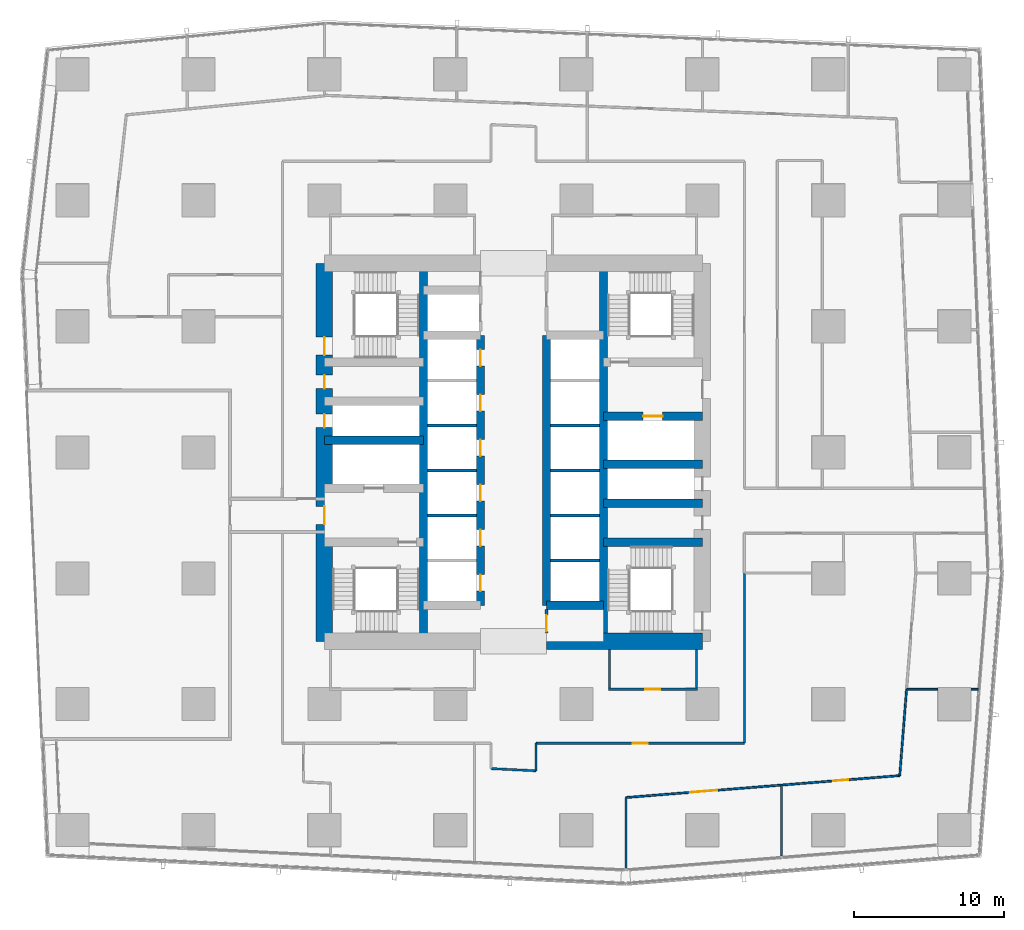
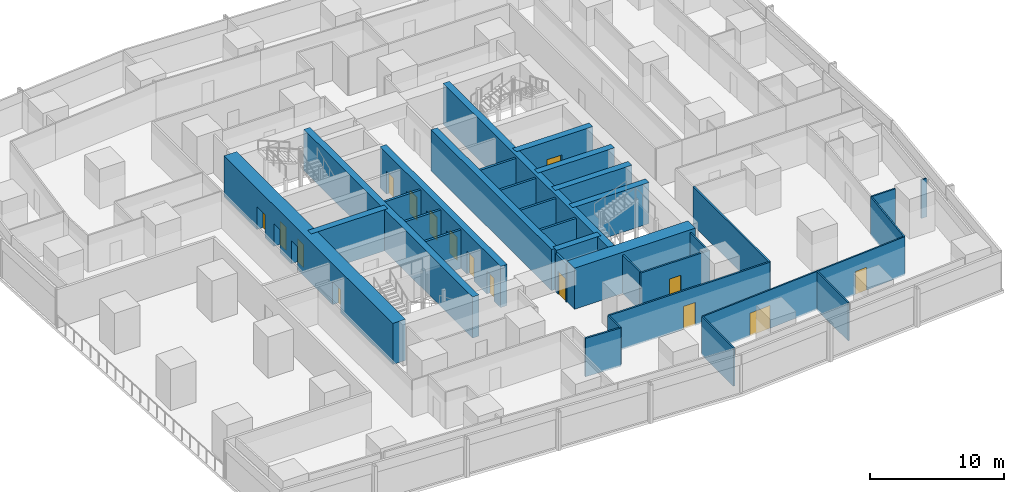
# One storey, part 30 of 42: 34 walls, 16 doors, 16 openings.
"""IFC4 building model written with IfcOpenShell, lengths in metres."""

from ifc_helpers import new_model, si_unit, direction, frame, frame_2d, origin, place, context, subcontext, project, spatial, rectangle, extrude, material, layer, layer_set, type_object, element, fill, save


model = new_model("IFC4")

# Units and contexts
model_context = context("Model", 3, precision=1e-05, world=origin(), true_north=direction((0.0, 1.0)))
body_context = subcontext(model_context, "Body", "Model", "MODEL_VIEW")
ifc_project = project(units=[si_unit("LENGTHUNIT", "METRE"), si_unit("AREAUNIT", "SQUARE_METRE"), si_unit("VOLUMEUNIT", "CUBIC_METRE"), si_unit("PLANEANGLEUNIT", "RADIAN"), si_unit("MASSUNIT", "GRAM", prefix="KILO")], contexts=[model_context])

# Site, building, storey
site_placement = place(None, origin())
site = spatial("IfcSite", under=ifc_project, at=site_placement, CompositionType="ELEMENT")
building_placement = place(site_placement, origin())
building = spatial("IfcBuilding", under=site, at=building_placement, Name="Rekha Terrace Tower", CompositionType="ELEMENT")
storey_placement = place(building_placement, frame((0.0, 0.0, 55.39990234375)))
storey = spatial("IfcBuildingStorey", under=building, at=storey_placement, Name="L13", CompositionType="ELEMENT", Elevation=55.39990234375)

# Walls
ifc_material_1 = material(Name="Concrete M70", Category="concrete")
ifc_layer_1 = layer(ifc_material_1, 0.550048828125)
ifc_layer_set_1 = layer_set([ifc_layer_1], Name="Concrete M70")
wall_type_1 = type_object("IfcWallType", Name="CI1 550 core internal shear wall", PredefinedType="SHEAR", material=ifc_layer_set_1)
for number, where, z_axis, x_axis, name in (
    (1, (31.800048828125, 21.0, 0.0), (0.0, 0.0, 1.0), (0.0, 1.0, 0.0), "Core wall X318 L13"),
    (2, (43.800048828125, 21.0, 0.0), (0.0, 0.0, 1.0), (0.0, 1.0, 0.0), "Core wall X438 L13"),
):
    element("IfcWall", number, at=place(storey_placement, frame(where, z_axis=z_axis, x_axis=x_axis)), inside=storey, type_object=wall_type_1, Name=name, PredefinedType="SHEAR", context=body_context, shape_type="SweptSolid", body=[
        extrude(rectangle(XDim=25.199951171875, YDim=0.550048828125, at=frame_2d((12.60009765625, 0.0))), origin(), (0.0, 0.0, 1.0), 3.75),
    ])

# Wall, openings, doors
wall_1_placement = place(storey_placement, frame((35.60009765625, 23.39990234375, 0.0), z_axis=(0.0, 0.0, 1.0), x_axis=(0.0, 1.0, 0.0)))
wall_1 = element("IfcWall", 3, at=wall_1_placement, inside=storey, type_object=wall_type_1, Name="Core wall X356 L13", PredefinedType="SHEAR", context=body_context, shape_type="SweptSolid", body=[
    extrude(rectangle(XDim=18.0, YDim=0.550048828125, at=frame_2d((9.0, 0.0))), origin(), (0.0, 0.0, 1.0), 3.75),
])
opening_1_placement = place(wall_1_placement, frame((0.949951171875, 0.0, 0.0)))
opening_1 = element("IfcOpeningElement", 4, at=opening_1_placement, cuts=wall_1, Name="Opening LD1", PredefinedType="OPENING", context=body_context, shape_type="SweptSolid", body=[
    extrude(rectangle(XDim=1.10009765625, YDim=2.10009765625, at=frame_2d((0.550048828125, 1.050048828125))), frame((0.0, 0.284912109375, 0.0), z_axis=(0.0, -1.0, 0.0), x_axis=(1.0, 0.0, 0.0)), (0.0, 0.0, 1.0), 0.570068359375),
])
opening_2_placement = place(wall_1_placement, frame((3.949951171875, 0.0, 0.0)))
opening_2 = element("IfcOpeningElement", 5, at=opening_2_placement, cuts=wall_1, Name="Opening LD1", PredefinedType="OPENING", context=body_context, shape_type="SweptSolid", body=[
    extrude(rectangle(XDim=1.10009765625, YDim=2.10009765625, at=frame_2d((0.550048828125, 1.050048828125))), frame((0.0, 0.284912109375, 0.0), z_axis=(0.0, -1.0, 0.0), x_axis=(1.0, 0.0, 0.0)), (0.0, 0.0, 1.0), 0.570068359375),
])
opening_3_placement = place(wall_1_placement, frame((6.949951171875, 0.0, 0.0)))
opening_3 = element("IfcOpeningElement", 6, at=opening_3_placement, cuts=wall_1, Name="Opening LD1", PredefinedType="OPENING", context=body_context, shape_type="SweptSolid", body=[
    extrude(rectangle(XDim=1.10009765625, YDim=2.10009765625, at=frame_2d((0.550048828125, 1.050048828125))), frame((0.0, 0.284912109375, 0.0), z_axis=(0.0, -1.0, 0.0), x_axis=(1.0, 0.0, 0.0)), (0.0, 0.0, 1.0), 0.570068359375),
])
opening_4_placement = place(wall_1_placement, frame((9.949951171875, 0.0, 0.0)))
opening_4 = element("IfcOpeningElement", 7, at=opening_4_placement, cuts=wall_1, Name="Opening LD1", PredefinedType="OPENING", context=body_context, shape_type="SweptSolid", body=[
    extrude(rectangle(XDim=1.10009765625, YDim=2.10009765625, at=frame_2d((0.550048828125, 1.050048828125))), frame((0.0, 0.284912109375, 0.0), z_axis=(0.0, -1.0, 0.0), x_axis=(1.0, 0.0, 0.0)), (0.0, 0.0, 1.0), 0.570068359375),
])
opening_5_placement = place(wall_1_placement, frame((12.949951171875, 0.0, 0.0)))
opening_5 = element("IfcOpeningElement", 8, at=opening_5_placement, cuts=wall_1, Name="Opening LD1", PredefinedType="OPENING", context=body_context, shape_type="SweptSolid", body=[
    extrude(rectangle(XDim=1.10009765625, YDim=2.10009765625, at=frame_2d((0.550048828125, 1.050048828125))), frame((0.0, 0.284912109375, 0.0), z_axis=(0.0, -1.0, 0.0), x_axis=(1.0, 0.0, 0.0)), (0.0, 0.0, 1.0), 0.570068359375),
])
opening_6_placement = place(wall_1_placement, frame((15.949951171875, 0.0, 0.0)))
opening_6 = element("IfcOpeningElement", 9, at=opening_6_placement, cuts=wall_1, Name="Opening LD1", PredefinedType="OPENING", context=body_context, shape_type="SweptSolid", body=[
    extrude(rectangle(XDim=1.10009765625, YDim=2.10009765625, at=frame_2d((0.550048828125, 1.050048828125))), frame((0.0, 0.284912109375, 0.0), z_axis=(0.0, -1.0, 0.0), x_axis=(1.0, 0.0, 0.0)), (0.0, 0.0, 1.0), 0.570068359375),
])
ifc_material_2 = material(Name="Stainless steel sliding landing door", Category="steel")
door_type_1 = type_object("IfcDoorType", Name="LD1 1100x2100 lift landing door", OperationType="SLIDING_TO_LEFT", PredefinedType="USERDEFINED", material=ifc_material_2)
door_1_placement = place(opening_1_placement, origin())
door_1 = element("IfcDoor", 10, at=door_1_placement, inside=storey, type_object=door_type_1, Name="Lift A1 landing door L13", ObjectType="LIFT LANDING DOOR", OperationType="SLIDING_TO_LEFT", OverallHeight=2.10009765625, OverallWidth=1.10009765625, PredefinedType="USERDEFINED", context=body_context, shape_type="SweptSolid", body=[
    extrude(rectangle(XDim=1.10009765625, YDim=2.10009765625, at=frame_2d((0.550048828125, 1.050048828125))), frame((0.0, 0.02490234375, 0.0), z_axis=(0.0, -1.0, 0.0), x_axis=(1.0, 0.0, 0.0)), (0.0, 0.0, 1.0), 0.050048828125),
])
fill(opening_1, door_1)
door_2_placement = place(opening_2_placement, origin())
door_2 = element("IfcDoor", 11, at=door_2_placement, inside=storey, type_object=door_type_1, Name="Lift A2 landing door L13", ObjectType="LIFT LANDING DOOR", OperationType="SLIDING_TO_LEFT", OverallHeight=2.10009765625, OverallWidth=1.10009765625, PredefinedType="USERDEFINED", context=body_context, shape_type="SweptSolid", body=[
    extrude(rectangle(XDim=1.10009765625, YDim=2.10009765625, at=frame_2d((0.550048828125, 1.050048828125))), frame((0.0, 0.02490234375, 0.0), z_axis=(0.0, -1.0, 0.0), x_axis=(1.0, 0.0, 0.0)), (0.0, 0.0, 1.0), 0.050048828125),
])
fill(opening_2, door_2)
door_3_placement = place(opening_3_placement, origin())
door_3 = element("IfcDoor", 12, at=door_3_placement, inside=storey, type_object=door_type_1, Name="Lift A3 landing door L13", ObjectType="LIFT LANDING DOOR", OperationType="SLIDING_TO_LEFT", OverallHeight=2.10009765625, OverallWidth=1.10009765625, PredefinedType="USERDEFINED", context=body_context, shape_type="SweptSolid", body=[
    extrude(rectangle(XDim=1.10009765625, YDim=2.10009765625, at=frame_2d((0.550048828125, 1.050048828125))), frame((0.0, 0.02490234375, 0.0), z_axis=(0.0, -1.0, 0.0), x_axis=(1.0, 0.0, 0.0)), (0.0, 0.0, 1.0), 0.050048828125),
])
fill(opening_3, door_3)
door_4_placement = place(opening_4_placement, origin())
door_4 = element("IfcDoor", 13, at=door_4_placement, inside=storey, type_object=door_type_1, Name="Lift A4 landing door L13", ObjectType="LIFT LANDING DOOR", OperationType="SLIDING_TO_LEFT", OverallHeight=2.10009765625, OverallWidth=1.10009765625, PredefinedType="USERDEFINED", context=body_context, shape_type="SweptSolid", body=[
    extrude(rectangle(XDim=1.10009765625, YDim=2.10009765625, at=frame_2d((0.550048828125, 1.050048828125))), frame((0.0, 0.02490234375, 0.0), z_axis=(0.0, -1.0, 0.0), x_axis=(1.0, 0.0, 0.0)), (0.0, 0.0, 1.0), 0.050048828125),
])
fill(opening_4, door_4)
door_5_placement = place(opening_5_placement, origin())
door_5 = element("IfcDoor", 14, at=door_5_placement, inside=storey, type_object=door_type_1, Name="Lift A5 landing door L13", ObjectType="LIFT LANDING DOOR", OperationType="SLIDING_TO_LEFT", OverallHeight=2.10009765625, OverallWidth=1.10009765625, PredefinedType="USERDEFINED", context=body_context, shape_type="SweptSolid", body=[
    extrude(rectangle(XDim=1.10009765625, YDim=2.10009765625, at=frame_2d((0.550048828125, 1.050048828125))), frame((0.0, 0.02490234375, 0.0), z_axis=(0.0, -1.0, 0.0), x_axis=(1.0, 0.0, 0.0)), (0.0, 0.0, 1.0), 0.050048828125),
])
fill(opening_5, door_5)
door_6_placement = place(opening_6_placement, origin())
door_6 = element("IfcDoor", 15, at=door_6_placement, inside=storey, type_object=door_type_1, Name="Lift A6 landing door L13", ObjectType="LIFT LANDING DOOR", OperationType="SLIDING_TO_LEFT", OverallHeight=2.10009765625, OverallWidth=1.10009765625, PredefinedType="USERDEFINED", context=body_context, shape_type="SweptSolid", body=[
    extrude(rectangle(XDim=1.10009765625, YDim=2.10009765625, at=frame_2d((0.550048828125, 1.050048828125))), frame((0.0, 0.02490234375, 0.0), z_axis=(0.0, -1.0, 0.0), x_axis=(1.0, 0.0, 0.0)), (0.0, 0.0, 1.0), 0.050048828125),
])
fill(opening_6, door_6)

# Walls
wall_2_placement = place(storey_placement, frame((40.0, 23.39990234375, 0.0), z_axis=(0.0, 0.0, 1.0), x_axis=(0.0, 1.0, 0.0)))
element("IfcWall", 16, at=wall_2_placement, inside=storey, type_object=wall_type_1, Name="Core wall X400 L13", PredefinedType="SHEAR", context=body_context, shape_type="SweptSolid", body=[
    extrude(rectangle(XDim=18.0, YDim=0.550048828125, at=frame_2d((9.0, 0.0))), origin(), (0.0, 0.0, 1.0), 3.75),
])
wall_3_placement = place(storey_placement, frame((40.0, 23.39990234375, 0.0), z_axis=(0.0, 0.0, 1.0), x_axis=(1.0, 0.0, 0.0)))
element("IfcWall", 17, at=wall_3_placement, inside=storey, type_object=wall_type_1, Name="Core wall Y234E L13", PredefinedType="SHEAR", context=body_context, shape_type="SweptSolid", body=[
    extrude(rectangle(XDim=3.800048828125, YDim=0.550048828125, at=frame_2d((1.89990234375, 0.0))), origin(), (0.0, 0.0, 1.0), 3.75),
])
wall_4_placement = place(storey_placement, frame((25.199951171875, 34.39990234375, 0.0), z_axis=(0.0, 0.0, 1.0), x_axis=(1.0, 0.0, 0.0)))
element("IfcWall", 18, at=wall_4_placement, inside=storey, type_object=wall_type_1, Name="Core wall Y344W L13", PredefinedType="SHEAR", context=body_context, shape_type="SweptSolid", body=[
    extrude(rectangle(XDim=6.60009765625, YDim=0.550048828125, at=frame_2d((3.300048828125, 0.0))), origin(), (0.0, 0.0, 1.0), 3.75),
])
for number, where, z_axis, x_axis, name in (
    (19, (43.800048828125, 27.60009765625, 0.0), (0.0, 0.0, 1.0), (1.0, 0.0, 0.0), "Core wall Y276E L13"),
    (20, (43.800048828125, 30.199951171875, 0.0), (0.0, 0.0, 1.0), (1.0, 0.0, 0.0), "Core wall Y302E L13"),
    (21, (43.800048828125, 32.800048828125, 0.0), (0.0, 0.0, 1.0), (1.0, 0.0, 0.0), "Core wall Y328E L13"),
):
    element("IfcWall", number, at=place(storey_placement, frame(where, z_axis=z_axis, x_axis=x_axis)), inside=storey, type_object=wall_type_1, Name=name, PredefinedType="SHEAR", context=body_context, shape_type="SweptSolid", body=[
        extrude(rectangle(XDim=6.599853515625, YDim=0.550048828125, at=frame_2d((3.2998046875, 0.0))), origin(), (0.0, 0.0, 1.0), 3.75),
    ])

# Wall, opening, door
wall_5_placement = place(storey_placement, frame((43.800048828125, 36.0, 0.0), z_axis=(0.0, 0.0, 1.0), x_axis=(1.0, 0.0, 0.0)))
wall_5 = element("IfcWall", 22, at=wall_5_placement, inside=storey, type_object=wall_type_1, Name="Core wall Y360E L13", PredefinedType="SHEAR", context=body_context, shape_type="SweptSolid", body=[
    extrude(rectangle(XDim=6.599853515625, YDim=0.550048828125, at=frame_2d((3.2998046875, 0.0))), origin(), (0.0, 0.0, 1.0), 3.75),
])
opening_7_placement = place(wall_5_placement, frame((2.64990234375, 0.0, 0.0)))
opening_7 = element("IfcOpeningElement", 23, at=opening_7_placement, cuts=wall_5, Name="Opening LD2", PredefinedType="OPENING", context=body_context, shape_type="SweptSolid", body=[
    extrude(rectangle(XDim=1.300048828125, YDim=2.10009765625, at=frame_2d((0.64990234375, 1.050048828125))), frame((0.0, 0.284912109375, 0.0), z_axis=(0.0, -1.0, 0.0), x_axis=(1.0, 0.0, 0.0)), (0.0, 0.0, 1.0), 0.570068359375),
])
door_type_2 = type_object("IfcDoorType", Name="LD2 1300x2100 fire lift landing door", OperationType="SLIDING_TO_LEFT", PredefinedType="USERDEFINED", material=ifc_material_2)
door_7_placement = place(opening_7_placement, origin())
door_7 = element("IfcDoor", 24, at=door_7_placement, inside=storey, type_object=door_type_2, Name="Lift FL2 landing door L13", ObjectType="LIFT LANDING DOOR", OperationType="SLIDING_TO_LEFT", OverallHeight=2.10009765625, OverallWidth=1.300048828125, PredefinedType="USERDEFINED", context=body_context, shape_type="SweptSolid", body=[
    extrude(rectangle(XDim=1.300048828125, YDim=2.10009765625, at=frame_2d((0.64990234375, 1.050048828125))), frame((0.0, 0.02490234375, 0.0), z_axis=(0.0, -1.0, 0.0), x_axis=(1.0, 0.0, 0.0)), (0.0, 0.0, 1.0), 0.050048828125),
])
fill(opening_7, door_7)

# Wall
ifc_layer_2 = layer(ifc_material_1, 1.10009765625)
ifc_layer_set_2 = layer_set([ifc_layer_2], Name="Concrete M70")
wall_type_2 = type_object("IfcWallType", Name="SW1 1100 core outer shear wall", PredefinedType="SHEAR", material=ifc_layer_set_2)
wall_6_placement = place(storey_placement, frame((40.0, 21.0, 0.0), z_axis=(0.0, 0.0, 1.0), x_axis=(1.0, 0.0, 0.0)))
element("IfcWall", 25, at=wall_6_placement, inside=storey, type_object=wall_type_2, Name="Core wall S2 L13", PredefinedType="SHEAR", context=body_context, shape_type="SweptSolid", body=[
    extrude(rectangle(XDim=10.39990234375, YDim=1.10009765625, at=frame_2d((5.199951171875, 0.0))), origin(), (0.0, 0.0, 1.0), 3.75),
])

# Wall, openings, doors
wall_7_placement = place(storey_placement, frame((25.199951171875, 21.0, 0.0), z_axis=(0.0, 0.0, 1.0), x_axis=(0.0, 1.0, 0.0)))
wall_7 = element("IfcWall", 26, at=wall_7_placement, inside=storey, type_object=wall_type_2, Name="Core wall W L13", PredefinedType="SHEAR", context=body_context, shape_type="SweptSolid", body=[
    extrude(rectangle(XDim=25.199951171875, YDim=1.10009765625, at=frame_2d((12.60009765625, 0.0))), origin(), (0.0, 0.0, 1.0), 3.75),
])
opening_8_placement = place(wall_7_placement, frame((7.800048828125, 0.0, 0.0)))
opening_8 = element("IfcOpeningElement", 27, at=opening_8_placement, cuts=wall_7, Name="Opening D2", PredefinedType="OPENING", context=body_context, shape_type="SweptSolid", body=[
    extrude(rectangle(XDim=1.199951171875, YDim=2.10009765625, at=frame_2d((0.60009765625, 1.050048828125))), frame((0.0, 0.56005859375, 0.0), z_axis=(0.0, -1.0, 0.0), x_axis=(1.0, 0.0, 0.0)), (0.0, 0.0, 1.0), 1.1201171875),
])
opening_9_placement = place(wall_7_placement, frame((14.25, 0.0, 0.0)))
opening_9 = element("IfcOpeningElement", 28, at=opening_9_placement, cuts=wall_7, Name="Opening D5", PredefinedType="OPENING", context=body_context, shape_type="SweptSolid", body=[
    extrude(rectangle(XDim=0.89990234375, YDim=2.10009765625, at=frame_2d((0.449951171875, 1.050048828125))), frame((0.0, 0.56005859375, 0.0), z_axis=(0.0, -1.0, 0.0), x_axis=(1.0, 0.0, 0.0)), (0.0, 0.0, 1.0), 1.1201171875),
])
opening_10_placement = place(wall_7_placement, frame((16.85009765625, 0.0, 0.0)))
opening_10 = element("IfcOpeningElement", 29, at=opening_10_placement, cuts=wall_7, Name="Opening D5", PredefinedType="OPENING", context=body_context, shape_type="SweptSolid", body=[
    extrude(rectangle(XDim=0.89990234375, YDim=2.10009765625, at=frame_2d((0.449951171875, 1.050048828125))), frame((0.0, 0.56005859375, 0.0), z_axis=(0.0, -1.0, 0.0), x_axis=(1.0, 0.0, 0.0)), (0.0, 0.0, 1.0), 1.1201171875),
])
opening_11_placement = place(wall_7_placement, frame((19.074951171875, 0.0, 0.0)))
opening_11 = element("IfcOpeningElement", 30, at=opening_11_placement, cuts=wall_7, Name="Opening D1", PredefinedType="OPENING", context=body_context, shape_type="SweptSolid", body=[
    extrude(rectangle(XDim=1.199951171875, YDim=2.10009765625, at=frame_2d((0.60009765625, 1.050048828125))), frame((0.0, 0.56005859375, 0.0), z_axis=(0.0, -1.0, 0.0), x_axis=(1.0, 0.0, 0.0)), (0.0, 0.0, 1.0), 1.1201171875),
])
ifc_material_3 = material(Name="Steel fire door", Category="steel")
door_type_3 = type_object("IfcDoorType", Name="D1 1200x2100 stair fire door", OperationType="SINGLE_SWING_RIGHT", PredefinedType="DOOR", material=ifc_material_3)
door_8_placement = place(opening_11_placement, origin())
door_8 = element("IfcDoor", 31, at=door_8_placement, inside=storey, type_object=door_type_3, Name="Stair ST4 door L13", OperationType="SINGLE_SWING_RIGHT", OverallHeight=2.10009765625, OverallWidth=1.199951171875, PredefinedType="DOOR", context=body_context, shape_type="SweptSolid", body=[
    extrude(rectangle(XDim=1.199951171875, YDim=2.10009765625, at=frame_2d((0.60009765625, 1.050048828125))), frame((0.0, 0.02490234375, 0.0), z_axis=(0.0, -1.0, 0.0), x_axis=(1.0, 0.0, 0.0)), (0.0, 0.0, 1.0), 0.050048828125),
])
fill(opening_11, door_8)
door_type_4 = type_object("IfcDoorType", Name="D2 1200x2100 firefighting lobby door", OperationType="SINGLE_SWING_LEFT", PredefinedType="DOOR", material=ifc_material_3)
door_9_placement = place(opening_8_placement, origin())
door_9 = element("IfcDoor", 32, at=door_9_placement, inside=storey, type_object=door_type_4, Name="Door flb1 L13", OperationType="SINGLE_SWING_LEFT", OverallHeight=2.10009765625, OverallWidth=1.199951171875, PredefinedType="DOOR", context=body_context, shape_type="SweptSolid", body=[
    extrude(rectangle(XDim=1.199951171875, YDim=2.10009765625, at=frame_2d((0.60009765625, 1.050048828125))), frame((0.0, 0.02490234375, 0.0), z_axis=(0.0, -1.0, 0.0), x_axis=(1.0, 0.0, 0.0)), (0.0, 0.0, 1.0), 0.050048828125),
])
fill(opening_8, door_9)
door_type_5 = type_object("IfcDoorType", Name="D5 900x2100 riser access door", OperationType="SINGLE_SWING_LEFT", PredefinedType="DOOR", material=ifc_material_3)
door_10_placement = place(opening_9_placement, origin())
door_10 = element("IfcDoor", 33, at=door_10_placement, inside=storey, type_object=door_type_5, Name="Door rs1 L13", OperationType="SINGLE_SWING_LEFT", OverallHeight=2.10009765625, OverallWidth=0.89990234375, PredefinedType="DOOR", context=body_context, shape_type="SweptSolid", body=[
    extrude(rectangle(XDim=0.89990234375, YDim=2.10009765625, at=frame_2d((0.449951171875, 1.050048828125))), frame((0.0, 0.02490234375, 0.0), z_axis=(0.0, -1.0, 0.0), x_axis=(1.0, 0.0, 0.0)), (0.0, 0.0, 1.0), 0.050048828125),
])
fill(opening_9, door_10)
door_11_placement = place(opening_10_placement, origin())
door_11 = element("IfcDoor", 34, at=door_11_placement, inside=storey, type_object=door_type_5, Name="Door elw L13", OperationType="SINGLE_SWING_LEFT", OverallHeight=2.10009765625, OverallWidth=0.89990234375, PredefinedType="DOOR", context=body_context, shape_type="SweptSolid", body=[
    extrude(rectangle(XDim=0.89990234375, YDim=2.10009765625, at=frame_2d((0.449951171875, 1.050048828125))), frame((0.0, 0.02490234375, 0.0), z_axis=(0.0, -1.0, 0.0), x_axis=(1.0, 0.0, 0.0)), (0.0, 0.0, 1.0), 0.050048828125),
])
fill(opening_10, door_11)

# Wall, opening, door
ifc_material_4 = material(Name="Concrete block masonry, 1 hour", Category="masonry")
ifc_layer_3 = layer(ifc_material_4, 0.14990234375)
ifc_layer_set_3 = layer_set([ifc_layer_3], Name="Concrete block masonry, 1 hour")
wall_type_3 = type_object("IfcWallType", Name="WP2 150 tenancy partition", PredefinedType="PARTITIONING", material=ifc_layer_set_3)
wall_8_placement = place(storey_placement, frame((44.125, 17.800048828125, 0.0), z_axis=(0.0, 0.0, 1.0), x_axis=(1.0, 0.0, 0.0)))
wall_8 = element("IfcWall", 35, at=wall_8_placement, inside=storey, type_object=wall_type_3, Name="Men's WC wall L13", PredefinedType="PARTITIONING", context=body_context, shape_type="SweptSolid", body=[
    extrude(rectangle(XDim=5.949951171875, YDim=0.14990234375, at=frame_2d((2.97509765625, 0.0))), origin(), (0.0, 0.0, 1.0), 3.5),
])
opening_12_placement = place(wall_8_placement, frame((2.47509765625, 0.0, 0.0)))
opening_12 = element("IfcOpeningElement", 36, at=opening_12_placement, cuts=wall_8, Name="Opening D3", PredefinedType="OPENING", context=body_context, shape_type="SweptSolid", body=[
    extrude(rectangle(XDim=1.0, YDim=2.10009765625, at=frame_2d((0.5, 1.050048828125))), frame((0.0, 0.0849609375, 0.0), z_axis=(0.0, -1.0, 0.0), x_axis=(1.0, 0.0, 0.0)), (0.0, 0.0, 1.0), 0.169921875),
])
ifc_material_5 = material(Name="Laminated timber fire door", Category="wood")
door_type_6 = type_object("IfcDoorType", Name="D3 1000x2100 WC door", OperationType="SINGLE_SWING_LEFT", PredefinedType="DOOR", material=ifc_material_5)
door_12_placement = place(opening_12_placement, origin())
door_12 = element("IfcDoor", 37, at=door_12_placement, inside=storey, type_object=door_type_6, Name="Door men's wc L13", OperationType="SINGLE_SWING_LEFT", OverallHeight=2.10009765625, OverallWidth=1.0, PredefinedType="DOOR", context=body_context, shape_type="SweptSolid", body=[
    extrude(rectangle(XDim=1.0, YDim=2.10009765625, at=frame_2d((0.5, 1.050048828125))), frame((0.0, 0.02490234375, 0.0), z_axis=(0.0, -1.0, 0.0), x_axis=(1.0, 0.0, 0.0)), (0.0, 0.0, 1.0), 0.050048828125),
])
fill(opening_12, door_12)

# Walls
for number, where, z_axis, x_axis, name in (
    (38, (44.199951171875, 17.875, 0.0), (0.0, 0.0, 1.0), (0.0, 1.0, 0.0), "Men's WC wall L13"),
    (39, (50.0, 17.875, 0.0), (0.0, 0.0, 1.0), (0.0, 1.0, 0.0), "Men's WC wall L13"),
):
    element("IfcWall", number, at=place(storey_placement, frame(where, z_axis=z_axis, x_axis=x_axis)), inside=storey, type_object=wall_type_3, Name=name, PredefinedType="PARTITIONING", context=body_context, shape_type="SweptSolid", body=[
        extrude(rectangle(XDim=2.574951171875, YDim=0.14990234375, at=frame_2d((1.28759765625, 0.0))), origin(), (0.0, 0.0, 1.0), 3.5),
    ])
wall_9_placement = place(storey_placement, frame((36.300048828125, 12.510009765625, 0.0), z_axis=(0.0, 0.0, 1.0), x_axis=(0.998802102454, -0.048932199355, 0.0)))
element("IfcWall", 40, at=wall_9_placement, inside=storey, type_object=wall_type_3, Name="Partition L13-O1", PredefinedType="PARTITIONING", context=body_context, shape_type="SweptSolid", body=[
    extrude(rectangle(XDim=3.003662109375, YDim=0.14990234375, at=frame_2d((1.501953125, 0.0))), origin(), (0.0, 0.0, 1.0), 3.5),
])
wall_10_placement = place(storey_placement, frame((39.300048828125, 12.363037109375, 0.0), z_axis=(0.0, 0.0, 1.0), x_axis=(0.0, 1.0, 0.0)))
element("IfcWall", 41, at=wall_10_placement, inside=storey, type_object=wall_type_3, Name="Partition L13-O1", PredefinedType="PARTITIONING", context=body_context, shape_type="SweptSolid", body=[
    extrude(rectangle(XDim=1.8369140625, YDim=0.14990234375, at=frame_2d((0.91845703125, 0.0))), origin(), (0.0, 0.0, 1.0), 3.5),
])

# Wall, opening, door
wall_11_placement = place(storey_placement, frame((39.300048828125, 14.199951171875, 0.0), z_axis=(0.0, 0.0, 1.0), x_axis=(1.0, 0.0, 0.0)))
wall_11 = element("IfcWall", 42, at=wall_11_placement, inside=storey, type_object=wall_type_3, Name="Partition L13-O1", PredefinedType="PARTITIONING", context=body_context, shape_type="SweptSolid", body=[
    extrude(rectangle(XDim=13.89990234375, YDim=0.14990234375, at=frame_2d((6.949951171875, 0.0))), origin(), (0.0, 0.0, 1.0), 3.5),
])
opening_13_placement = place(wall_11_placement, frame((6.449951171875, 0.0, 0.0)))
opening_13 = element("IfcOpeningElement", 43, at=opening_13_placement, cuts=wall_11, Name="Opening D9", PredefinedType="OPENING", context=body_context, shape_type="SweptSolid", body=[
    extrude(rectangle(XDim=1.0, YDim=2.10009765625, at=frame_2d((0.5, 1.050048828125))), frame((0.0, 0.0849609375, 0.0), z_axis=(0.0, -1.0, 0.0), x_axis=(1.0, 0.0, 0.0)), (0.0, 0.0, 1.0), 0.169921875),
])
ifc_material_6 = material(Name="Timber fire door", Category="wood")
door_type_7 = type_object("IfcDoorType", Name="D9 1000x2100 office door", OperationType="SINGLE_SWING_LEFT", PredefinedType="DOOR", material=ifc_material_6)
door_13_placement = place(opening_13_placement, origin())
door_13 = element("IfcDoor", 44, at=door_13_placement, inside=storey, type_object=door_type_7, Name="Door open-plan office L13", OperationType="SINGLE_SWING_LEFT", OverallHeight=2.10009765625, OverallWidth=1.0, PredefinedType="DOOR", context=body_context, shape_type="SweptSolid", body=[
    extrude(rectangle(XDim=1.0, YDim=2.10009765625, at=frame_2d((0.5, 1.050048828125))), frame((0.0, 0.02490234375, 0.0), z_axis=(0.0, -1.0, 0.0), x_axis=(1.0, 0.0, 0.0)), (0.0, 0.0, 1.0), 0.050048828125),
])
fill(opening_13, door_13)

# Wall
wall_12_placement = place(storey_placement, frame((53.199951171875, 14.199951171875, 0.0), z_axis=(0.0, 0.0, 1.0), x_axis=(0.0, 1.0, 0.0)))
element("IfcWall", 45, at=wall_12_placement, inside=storey, type_object=wall_type_3, Name="Partition L13-O1", PredefinedType="PARTITIONING", context=body_context, shape_type="SweptSolid", body=[
    extrude(rectangle(XDim=11.35205078125, YDim=0.14990234375, at=frame_2d((5.676025390625, 0.0))), origin(), (0.0, 0.0, 1.0), 3.5),
])

# Wall, opening, door
ifc_material_7 = material(Name="Two layers of fire-rated gypsum board each side on steel studs, acoustic quilt, 1 hour", Category="steel")
ifc_layer_4 = layer(ifc_material_7, 0.125)
ifc_layer_set_4 = layer_set([ifc_layer_4], Name="Two layers of fire-rated gypsum board each side on steel studs, acoustic quilt, 1 hour")
wall_type_4 = type_object("IfcWallType", Name="WP3 125 office partition", PredefinedType="PARTITIONING", material=ifc_layer_set_4)
wall_13_placement = place(storey_placement, frame((45.304931640625, 10.580078125, 0.0), z_axis=(0.0, 0.0, 1.0), x_axis=(0.996803548009, 0.079891718455, 0.0)))
wall_13 = element("IfcWall", 46, at=wall_13_placement, inside=storey, type_object=wall_type_4, Name="Partition L13-02", PredefinedType="PARTITIONING", context=body_context, shape_type="SweptSolid", body=[
    extrude(rectangle(XDim=10.399169921875, YDim=0.125, at=frame_2d((5.19970703125, 0.0))), origin(), (0.0, 0.0, 1.0), 3.5),
])
opening_14_placement = place(wall_13_placement, frame((4.300048828125, 0.0, 0.0)))
opening_14 = element("IfcOpeningElement", 47, at=opening_14_placement, cuts=wall_13, Name="Opening D8", PredefinedType="OPENING", context=body_context, shape_type="SweptSolid", body=[
    extrude(rectangle(XDim=1.800048828125, YDim=2.10009765625, at=frame_2d((0.89990234375, 1.050048828125))), frame((0.0, 0.072509765625, 0.0), z_axis=(0.0, -1.0, 0.0), x_axis=(1.0, 0.0, 0.0)), (0.0, 0.0, 1.0), 0.14501953125),
])
door_type_8 = type_object("IfcDoorType", Name="D8 1800x2100 double leaf door", OperationType="DOUBLE_DOOR_SINGLE_SWING", PredefinedType="DOOR", material=ifc_material_6)
door_14_placement = place(opening_14_placement, origin())
door_14 = element("IfcDoor", 48, at=door_14_placement, inside=storey, type_object=door_type_8, Name="Door reference library L13", OperationType="DOUBLE_DOOR_SINGLE_SWING", OverallHeight=2.10009765625, OverallWidth=1.800048828125, PredefinedType="DOOR", context=body_context, shape_type="SweptSolid", body=[
    extrude(rectangle(XDim=1.800048828125, YDim=2.10009765625, at=frame_2d((0.89990234375, 1.050048828125))), frame((0.0, 0.02490234375, 0.0), z_axis=(0.0, -1.0, 0.0), x_axis=(1.0, 0.0, 0.0)), (0.0, 0.0, 1.0), 0.050048828125),
])
fill(opening_14, door_14)

# Walls
wall_14_placement = place(storey_placement, frame((55.6708984375, 11.410888671875, 0.0), z_axis=(0.0, 0.0, 1.0), x_axis=(0.0, -1.0, 0.0)))
element("IfcWall", 49, at=wall_14_placement, inside=storey, type_object=wall_type_4, Name="Partition L13-02", PredefinedType="PARTITIONING", context=body_context, shape_type="SweptSolid", body=[
    extrude(rectangle(XDim=4.73583984375, YDim=0.125, at=frame_2d((2.367919921875, 0.0))), origin(), (0.0, 0.0, 1.0), 3.5),
])
wall_15_placement = place(storey_placement, frame((45.304931640625, 5.844970703125, 0.0), z_axis=(0.0, 0.0, 1.0), x_axis=(0.0, 1.0, 0.0)))
element("IfcWall", 50, at=wall_15_placement, inside=storey, type_object=wall_type_4, Name="Partition L13-02", PredefinedType="PARTITIONING", context=body_context, shape_type="SweptSolid", body=[
    extrude(rectangle(XDim=4.735107421875, YDim=0.125, at=frame_2d((2.36767578125, 0.0))), origin(), (0.0, 0.0, 1.0), 3.5),
])

# Wall, opening, door
wall_16_placement = place(storey_placement, frame((55.673095703125, 11.410888671875, 0.0), z_axis=(0.0, 0.0, 1.0), x_axis=(0.996808893134, 0.079824999652, 0.0)))
wall_16 = element("IfcWall", 51, at=wall_16_placement, inside=storey, type_object=wall_type_4, Name="Partition L13-03", PredefinedType="PARTITIONING", context=body_context, shape_type="SweptSolid", body=[
    extrude(rectangle(XDim=7.906005859375, YDim=0.125, at=frame_2d((3.953125, 0.0))), origin(), (0.0, 0.0, 1.0), 3.5),
])
opening_15_placement = place(wall_16_placement, frame((3.452880859375, 0.0, 0.0)))
opening_15 = element("IfcOpeningElement", 52, at=opening_15_placement, cuts=wall_16, Name="Opening D9", PredefinedType="OPENING", context=body_context, shape_type="SweptSolid", body=[
    extrude(rectangle(XDim=1.0, YDim=2.10009765625, at=frame_2d((0.5, 1.050048828125))), frame((0.0, 0.072509765625, 0.0), z_axis=(0.0, -1.0, 0.0), x_axis=(1.0, 0.0, 0.0)), (0.0, 0.0, 1.0), 0.14501953125),
])
door_15_placement = place(opening_15_placement, origin())
door_15 = element("IfcDoor", 53, at=door_15_placement, inside=storey, type_object=door_type_7, Name="Door director's office L13", OperationType="SINGLE_SWING_LEFT", OverallHeight=2.10009765625, OverallWidth=1.0, PredefinedType="DOOR", context=body_context, shape_type="SweptSolid", body=[
    extrude(rectangle(XDim=1.0, YDim=2.10009765625, at=frame_2d((0.5, 1.050048828125))), frame((0.0, 0.02490234375, 0.0), z_axis=(0.0, -1.0, 0.0), x_axis=(1.0, 0.0, 0.0)), (0.0, 0.0, 1.0), 0.050048828125),
])
fill(opening_15, door_15)

# Walls
wall_17_placement = place(storey_placement, frame((63.553955078125, 12.0419921875, 0.0), z_axis=(0.0, 0.0, 1.0), x_axis=(0.078982245858, 0.996876022803, 0.0)))
element("IfcWall", 54, at=wall_17_placement, inside=storey, type_object=wall_type_4, Name="Partition L13-03", PredefinedType="PARTITIONING", context=body_context, shape_type="SweptSolid", body=[
    extrude(rectangle(XDim=5.774169921875, YDim=0.125, at=frame_2d((2.88720703125, 0.0))), origin(), (0.0, 0.0, 1.0), 3.5),
])
wall_18_placement = place(storey_placement, frame((64.010009765625, 17.798095703125, 0.0), z_axis=(0.0, 0.0, 1.0), x_axis=(1.0, 0.0, 0.0)))
element("IfcWall", 55, at=wall_18_placement, inside=storey, type_object=wall_type_4, Name="Partition L13-03", PredefinedType="PARTITIONING", context=body_context, shape_type="SweptSolid", body=[
    extrude(rectangle(XDim=2.070068359375, YDim=0.125, at=frame_2d((1.03515625, 0.0))), origin(), (0.0, 0.0, 1.0), 3.5),
])
wall_19_placement = place(storey_placement, frame((68.320068359375, 17.798095703125, 0.0), z_axis=(0.0, 0.0, 1.0), x_axis=(1.0, 0.0, 0.0)))
element("IfcWall", 56, at=wall_19_placement, inside=storey, type_object=wall_type_4, Name="Partition L13-03", PredefinedType="PARTITIONING", context=body_context, shape_type="SweptSolid", body=[
    extrude(rectangle(XDim=0.454833984375, YDim=0.125, at=frame_2d((0.2275390625, 0.0))), origin(), (0.0, 0.0, 1.0), 3.5),
])
ifc_material_8 = material(Name="Solid concrete block masonry, 2 hour", Category="masonry")
ifc_layer_5 = layer(ifc_material_8, 0.199951171875)
ifc_layer_set_5 = layer_set([ifc_layer_5], Name="Solid concrete block masonry, 2 hour")
wall_type_5 = type_object("IfcWallType", Name="WS1 200 stair and shaft enclosure", PredefinedType="PARTITIONING", material=ifc_layer_set_5)
for number, where, z_axis, x_axis, name in (
    (57, (32.074951171875, 29.39990234375, 0.0), (0.0, 0.0, 1.0), (1.0, 0.0, 0.0), "Lift shaft divider L13"),
    (58, (32.074951171875, 32.39990234375, 0.0), (0.0, 0.0, 1.0), (1.0, 0.0, 0.0), "Lift shaft divider L13"),
    (59, (32.074951171875, 35.39990234375, 0.0), (0.0, 0.0, 1.0), (1.0, 0.0, 0.0), "Lift shaft divider L13"),
    (60, (40.27490234375, 26.39990234375, 0.0), (0.0, 0.0, 1.0), (1.0, 0.0, 0.0), "Lift shaft divider L13"),
    (61, (40.27490234375, 29.39990234375, 0.0), (0.0, 0.0, 1.0), (1.0, 0.0, 0.0), "Lift shaft divider L13"),
    (62, (40.27490234375, 32.39990234375, 0.0), (0.0, 0.0, 1.0), (1.0, 0.0, 0.0), "Lift shaft divider L13"),
    (63, (40.27490234375, 35.39990234375, 0.0), (0.0, 0.0, 1.0), (1.0, 0.0, 0.0), "Lift shaft divider L13"),
):
    element("IfcWall", number, at=place(storey_placement, frame(where, z_axis=z_axis, x_axis=x_axis)), inside=storey, type_object=wall_type_5, Name=name, PredefinedType="PARTITIONING", context=body_context, shape_type="SweptSolid", body=[
        extrude(rectangle(XDim=3.25, YDim=0.199951171875, at=frame_2d((1.625, 0.0))), origin(), (0.0, 0.0, 1.0), 3.5),
    ])

# Wall, opening, door
wall_20_placement = place(storey_placement, frame((40.0, 21.550048828125, 0.0), z_axis=(0.0, 0.0, 1.0), x_axis=(0.0, 1.0, 0.0)))
wall_20 = element("IfcWall", 64, at=wall_20_placement, inside=storey, type_object=wall_type_5, Name="Core partition wca L13", PredefinedType="PARTITIONING", context=body_context, shape_type="SweptSolid", body=[
    extrude(rectangle(XDim=1.574951171875, YDim=0.199951171875, at=frame_2d((0.78759765625, 0.0))), origin(), (0.0, 0.0, 1.0), 3.5),
])
opening_16_placement = place(wall_20_placement, frame((0.10009765625, 0.0, 0.0)))
opening_16 = element("IfcOpeningElement", 65, at=opening_16_placement, cuts=wall_20, Name="Opening D4", PredefinedType="OPENING", context=body_context, shape_type="SweptSolid", body=[
    extrude(rectangle(XDim=1.10009765625, YDim=2.10009765625, at=frame_2d((0.550048828125, 1.050048828125))), frame((0.0, 0.10986328125, 0.0), z_axis=(0.0, -1.0, 0.0), x_axis=(1.0, 0.0, 0.0)), (0.0, 0.0, 1.0), 0.219970703125),
])
door_type_9 = type_object("IfcDoorType", Name="D4 1100x2100 accessible WC door", OperationType="SLIDING_TO_LEFT", PredefinedType="DOOR", material=ifc_material_5)
door_16_placement = place(opening_16_placement, origin())
door_16 = element("IfcDoor", 66, at=door_16_placement, inside=storey, type_object=door_type_9, Name="Door wca L13", OperationType="SLIDING_TO_LEFT", OverallHeight=2.10009765625, OverallWidth=1.10009765625, PredefinedType="DOOR", context=body_context, shape_type="SweptSolid", body=[
    extrude(rectangle(XDim=1.10009765625, YDim=2.10009765625, at=frame_2d((0.550048828125, 1.050048828125))), frame((0.0, 0.02490234375, 0.0), z_axis=(0.0, -1.0, 0.0), x_axis=(1.0, 0.0, 0.0)), (0.0, 0.0, 1.0), 0.050048828125),
])
fill(opening_16, door_16)

save(model, "model.ifc")
